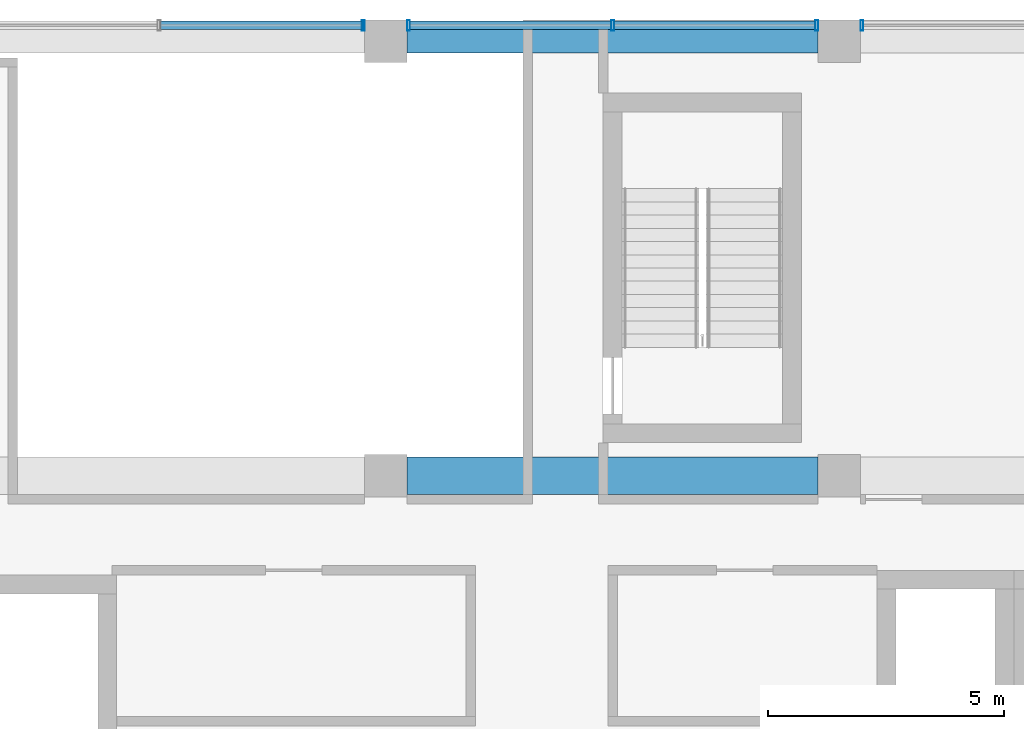
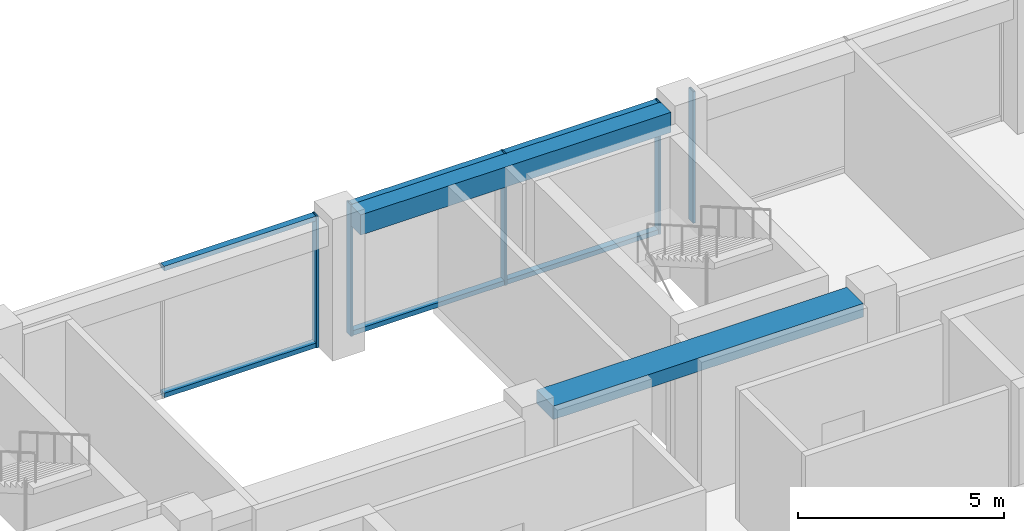
# One storey, part 22 of 37: 11 members, 2 beams, 3 elements without a shape of their own.
"""IFC4 building model written with IfcOpenShell, lengths in metres."""

from ifc_helpers import new_model, si_unit, direction, frame, origin, origin_2d, place, context, subcontext, project, spatial, rectangle, hollow_rectangle, extrude, material, layer, layer_set, material_profile, profile_set, type_object, element, aggregate, save


model = new_model("IFC4")

# Units and contexts
model_context = context("Model", 3, precision=1e-05, world=origin(), true_north=direction((0.0, 1.0)))
body_context = subcontext(model_context, "Body", "Model", "MODEL_VIEW")
ifc_project = project(units=[si_unit("LENGTHUNIT", "METRE"), si_unit("AREAUNIT", "SQUARE_METRE"), si_unit("VOLUMEUNIT", "CUBIC_METRE"), si_unit("PLANEANGLEUNIT", "RADIAN"), si_unit("MASSUNIT", "GRAM", prefix="KILO")], contexts=[model_context])

# Site, building, storey
site_placement = place(None, origin())
site = spatial("IfcSite", under=ifc_project, at=site_placement, CompositionType="ELEMENT")
building_placement = place(site_placement, origin())
building = spatial("IfcBuilding", under=site, at=building_placement, Name="Nzadi Deep Aquarium and Research Tower", CompositionType="ELEMENT")
storey_placement = place(building_placement, frame((0.0, 0.0, 61.300048828125)))
storey = spatial("IfcBuildingStorey", under=building, at=storey_placement, Name="L12", CompositionType="ELEMENT", Elevation=61.300048828125)

# Curtain wall, member
ifc_material_1 = material(Name="Aluminium unitised frame deep", Category="aluminium")
ifc_layer = layer(ifc_material_1, 0.22509765625)
ifc_layer_set = layer_set([ifc_layer], Name="Aluminium unitised frame deep")
curtain_wall_type = type_object("IfcCurtainWallType", Name="Curtain wall Unitised Deep 225", PredefinedType="NOTDEFINED", material=ifc_layer_set)
curtain_wall_1_placement = place(storey_placement, origin())
curtain_wall_1 = element("IfcCurtainWall", 1, at=curtain_wall_1_placement, inside=storey, type_object=curtain_wall_type, Name="Unitised curtain wall blade B north L12", PredefinedType="NOTDEFINED")
ifc_material_2 = material(Name="Aluminium unitised frame deep", Category="aluminium")
ifc_material_profile_1 = material_profile(ifc_material_2, hollow_rectangle(XDim=0.22509765625, YDim=0.06005859375, WallThickness=0.0048828125, at=origin_2d()))
ifc_profile_set_1 = profile_set([ifc_material_profile_1], Name="Aluminium unitised frame deep")
member_type_1 = type_object("IfcMemberType", Name="Mullion 60x225 Unitised Deep", PredefinedType="MULLION", material=ifc_profile_set_1)
member_1_placement = place(storey_placement, frame((18.719970703125, 46.33740234375, 0.0), z_axis=(0.0, 0.0, 1.0), x_axis=(0.0, 1.0, 0.0)))
member_1 = element("IfcMember", 2, at=member_1_placement, type_object=member_type_1, Name="CW159 mullion 3", PredefinedType="MULLION", context=body_context, shape_type="SweptSolid", body=[
    extrude(hollow_rectangle(XDim=0.22509765625, YDim=0.06005859375, WallThickness=0.0048828125, at=origin_2d()), origin(), (0.0, 0.0, 1.0), 3.89990234375),
])

# Curtain wall, members
curtain_wall_2_placement = place(storey_placement, origin())
curtain_wall_2 = element("IfcCurtainWall", 3, at=curtain_wall_2_placement, inside=storey, type_object=curtain_wall_type, Name="Unitised curtain wall blade B north L12", PredefinedType="NOTDEFINED")
member_2_placement = place(storey_placement, frame((19.679931640625, 46.33740234375, 0.0), z_axis=(0.0, 0.0, 1.0), x_axis=(0.0, 1.0, 0.0)))
member_2 = element("IfcMember", 4, at=member_2_placement, type_object=member_type_1, Name="CW160 mullion 1", PredefinedType="MULLION", context=body_context, shape_type="SweptSolid", body=[
    extrude(hollow_rectangle(XDim=0.22509765625, YDim=0.06005859375, WallThickness=0.0048828125, at=origin_2d()), origin(), (0.0, 0.0, 1.0), 3.89990234375),
])
member_3_placement = place(storey_placement, frame((24.0, 46.33740234375, 0.0), z_axis=(0.0, 0.0, 1.0), x_axis=(0.0, 1.0, 0.0)))
member_3 = element("IfcMember", 5, at=member_3_placement, type_object=member_type_1, Name="CW160 mullion 2", PredefinedType="MULLION", context=body_context, shape_type="SweptSolid", body=[
    extrude(hollow_rectangle(XDim=0.22509765625, YDim=0.06005859375, WallThickness=0.0048828125, at=origin_2d()), origin(), (0.0, 0.0, 1.0), 3.89990234375),
])
member_4_placement = place(storey_placement, frame((28.320068359375, 46.33740234375, 0.0), z_axis=(0.0, 0.0, 1.0), x_axis=(0.0, 1.0, 0.0)))
member_4 = element("IfcMember", 6, at=member_4_placement, type_object=member_type_1, Name="CW160 mullion 3", PredefinedType="MULLION", context=body_context, shape_type="SweptSolid", body=[
    extrude(hollow_rectangle(XDim=0.22509765625, YDim=0.06005859375, WallThickness=0.0048828125, at=origin_2d()), origin(), (0.0, 0.0, 1.0), 3.89990234375),
])

# Curtain wall, member
curtain_wall_3_placement = place(storey_placement, origin())
curtain_wall_3 = element("IfcCurtainWall", 7, at=curtain_wall_3_placement, inside=storey, type_object=curtain_wall_type, Name="Unitised curtain wall blade B north L12", PredefinedType="NOTDEFINED")
member_5_placement = place(storey_placement, frame((29.280029296875, 46.33740234375, 0.0), z_axis=(0.0, 0.0, 1.0), x_axis=(0.0, 1.0, 0.0)))
member_5 = element("IfcMember", 8, at=member_5_placement, type_object=member_type_1, Name="CW161 mullion 1", PredefinedType="MULLION", context=body_context, shape_type="SweptSolid", body=[
    extrude(hollow_rectangle(XDim=0.22509765625, YDim=0.06005859375, WallThickness=0.0048828125, at=origin_2d()), origin(), (0.0, 0.0, 1.0), 3.89990234375),
])
aggregate(curtain_wall_3, [member_5])

# Beams
ifc_material_3 = material(Name="Concrete C35/45", Category="concrete")
ifc_material_profile_2 = material_profile(ifc_material_3, rectangle(XDim=0.5, YDim=0.60009765625, at=origin_2d()))
ifc_profile_set_2 = profile_set([ifc_material_profile_2], Name="Concrete C35/45")
beam_type_1 = type_object("IfcBeamType", Name="RC 500x600", PredefinedType="BEAM", material=ifc_profile_set_2)
beam_1_placement = place(storey_placement, frame((19.64990234375, 46.0, 3.599853515625), z_axis=(1.0, 0.0, 0.0), x_axis=(0.0, 1.0, 0.0)))
element("IfcBeam", 9, at=beam_1_placement, inside=storey, type_object=beam_type_1, Name="B-Z1-L12-L6-3", PredefinedType="BEAM", context=body_context, shape_type="SweptSolid", body=[
    extrude(rectangle(XDim=0.5, YDim=0.60009765625, at=origin_2d()), origin(), (0.0, 0.0, 1.0), 8.7001953125),
])
ifc_material_4 = material(Name="Concrete C35/45", Category="concrete")
ifc_material_profile_3 = material_profile(ifc_material_4, rectangle(XDim=0.800048828125, YDim=0.39990234375, at=origin_2d()))
ifc_profile_set_3 = profile_set([ifc_material_profile_3], Name="Concrete C35/45")
beam_type_2 = type_object("IfcBeamType", Name="RC 800x400", PredefinedType="BEAM", material=ifc_profile_set_3)
beam_2_placement = place(storey_placement, frame((19.64990234375, 36.800048828125, 3.699951171875), z_axis=(1.0, 0.0, 0.0), x_axis=(0.0, 1.0, 0.0)))
element("IfcBeam", 10, at=beam_2_placement, inside=storey, type_object=beam_type_2, Name="B-Z1-L12-L5-3", PredefinedType="BEAM", context=body_context, shape_type="SweptSolid", body=[
    extrude(rectangle(XDim=0.800048828125, YDim=0.39990234375, at=origin_2d()), origin(), (0.0, 0.0, 1.0), 8.7001953125),
])

# Member
ifc_material_5 = material(Name="Aluminium unitised frame deep", Category="aluminium")
ifc_material_profile_4 = material_profile(ifc_material_5, hollow_rectangle(XDim=0.179931640625, YDim=0.139892578125, WallThickness=0.0048828125, at=origin_2d()))
ifc_profile_set_4 = profile_set([ifc_material_profile_4], Name="Aluminium unitised frame deep")
member_type_2 = type_object("IfcMemberType", Name="Transom 140x180 Unitised Deep", PredefinedType="MULLION", material=ifc_profile_set_4)
member_6_placement = place(storey_placement, frame((14.429931640625, 46.33740234375, 0.070068359375), z_axis=(1.0, 0.0, 0.0), x_axis=(0.0, 1.0, 0.0)))
member_6 = element("IfcMember", 11, at=member_6_placement, type_object=member_type_2, Name="CW159 transom 2.1", PredefinedType="MULLION", context=body_context, shape_type="SweptSolid", body=[
    extrude(hollow_rectangle(XDim=0.179931640625, YDim=0.139892578125, WallThickness=0.0048828125, at=origin_2d()), origin(), (0.0, 0.0, 1.0), 4.260009765625),
])

member_7_placement = place(storey_placement, frame((14.429931640625, 46.33740234375, 3.829833984375), z_axis=(1.0, 0.0, 0.0), x_axis=(0.0, 1.0, 0.0)))
member_7 = element("IfcMember", 12, at=member_7_placement, type_object=member_type_2, Name="CW159 transom 2.2", PredefinedType="MULLION", context=body_context, shape_type="SweptSolid", body=[
    extrude(hollow_rectangle(XDim=0.179931640625, YDim=0.139892578125, WallThickness=0.0048828125, at=origin_2d()), origin(), (0.0, 0.0, 1.0), 4.260009765625),
])

aggregate(curtain_wall_1, [member_1, member_6, member_7])

member_8_placement = place(storey_placement, frame((19.7099609375, 46.33740234375, 0.070068359375), z_axis=(1.0, 0.0, 0.0), x_axis=(0.0, 1.0, 0.0)))
member_8 = element("IfcMember", 13, at=member_8_placement, type_object=member_type_2, Name="CW160 transom 1.1", PredefinedType="MULLION", context=body_context, shape_type="SweptSolid", body=[
    extrude(hollow_rectangle(XDim=0.179931640625, YDim=0.139892578125, WallThickness=0.0048828125, at=origin_2d()), origin(), (0.0, 0.0, 1.0), 4.260009765625),
])

member_9_placement = place(storey_placement, frame((19.7099609375, 46.33740234375, 3.829833984375), z_axis=(1.0, 0.0, 0.0), x_axis=(0.0, 1.0, 0.0)))
member_9 = element("IfcMember", 14, at=member_9_placement, type_object=member_type_2, Name="CW160 transom 1.2", PredefinedType="MULLION", context=body_context, shape_type="SweptSolid", body=[
    extrude(hollow_rectangle(XDim=0.179931640625, YDim=0.139892578125, WallThickness=0.0048828125, at=origin_2d()), origin(), (0.0, 0.0, 1.0), 4.260009765625),
])

member_10_placement = place(storey_placement, frame((24.030029296875, 46.33740234375, 0.070068359375), z_axis=(1.0, 0.0, 0.0), x_axis=(0.0, 1.0, 0.0)))
member_10 = element("IfcMember", 15, at=member_10_placement, type_object=member_type_2, Name="CW160 transom 2.1", PredefinedType="MULLION", context=body_context, shape_type="SweptSolid", body=[
    extrude(hollow_rectangle(XDim=0.179931640625, YDim=0.139892578125, WallThickness=0.0048828125, at=origin_2d()), origin(), (0.0, 0.0, 1.0), 4.260009765625),
])

member_11_placement = place(storey_placement, frame((24.030029296875, 46.33740234375, 3.829833984375), z_axis=(1.0, 0.0, 0.0), x_axis=(0.0, 1.0, 0.0)))
member_11 = element("IfcMember", 16, at=member_11_placement, type_object=member_type_2, Name="CW160 transom 2.2", PredefinedType="MULLION", context=body_context, shape_type="SweptSolid", body=[
    extrude(hollow_rectangle(XDim=0.179931640625, YDim=0.139892578125, WallThickness=0.0048828125, at=origin_2d()), origin(), (0.0, 0.0, 1.0), 4.260009765625),
])

aggregate(curtain_wall_2, [member_2, member_3, member_4, member_8, member_9, member_10, member_11])

save(model, "model.ifc")
